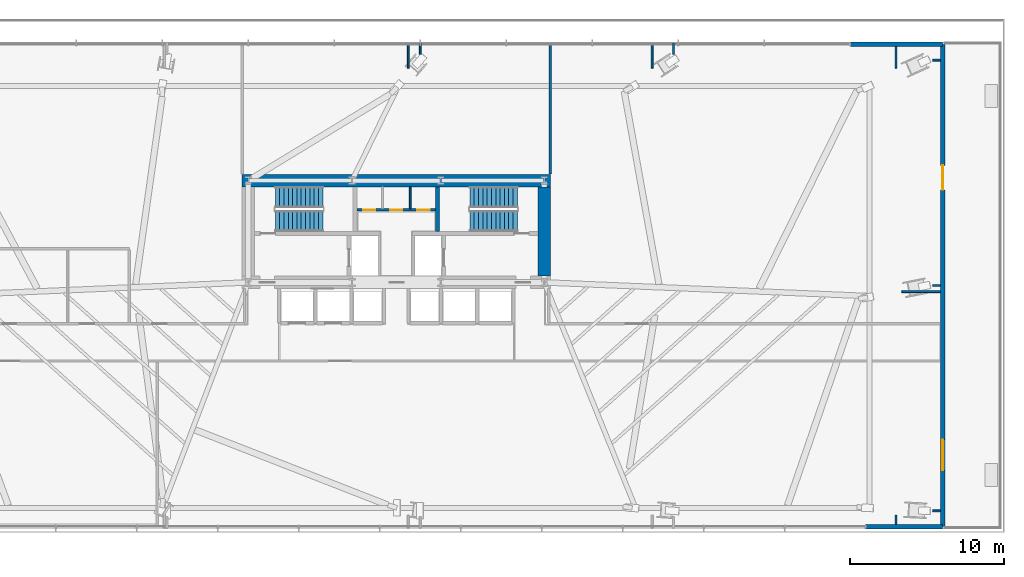
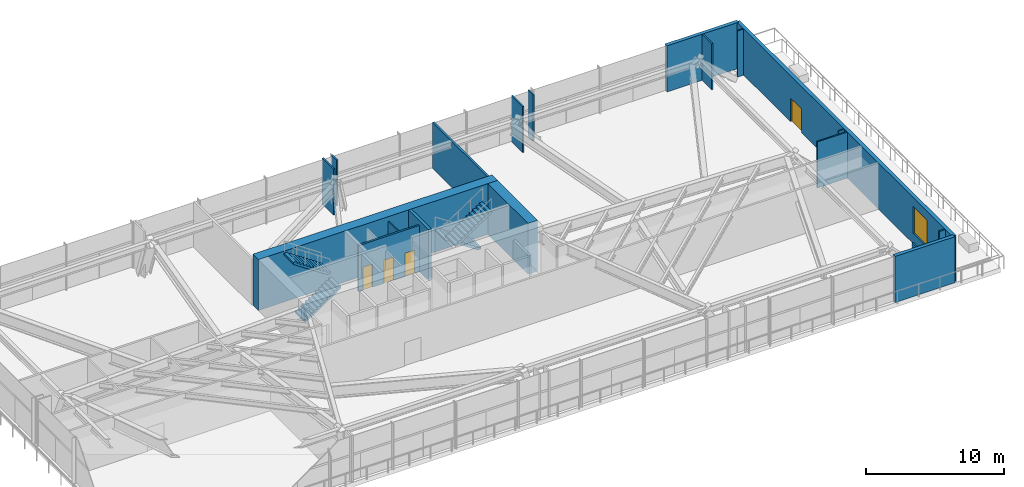
# One storey, part 23 of 30: 19 walls, 4 doors, 4 stair flights, 1 window, 5 openings, 2 elements without a shape of their own.
"""IFC4 building model written with IfcOpenShell, lengths in metres."""

from ifc_helpers import new_model, si_unit, direction, frame, frame_2d, origin, place, context, subcontext, project, spatial, polyline, rectangle, outline, extrude, source, transform, mapped, material, layer, layer_set, type_object, type_shapes, element, fill, aggregate, save


model = new_model("IFC4")

# Units and contexts
model_context = context("Model", 3, precision=1e-05, world=origin(), true_north=direction((0.0, 1.0)))
body_context = subcontext(model_context, "Body", "Model", "MODEL_VIEW")
ifc_project = project(units=[si_unit("LENGTHUNIT", "METRE"), si_unit("AREAUNIT", "SQUARE_METRE"), si_unit("VOLUMEUNIT", "CUBIC_METRE"), si_unit("PLANEANGLEUNIT", "RADIAN"), si_unit("MASSUNIT", "GRAM", prefix="KILO")], contexts=[model_context])

# Site, building, storey
site_placement = place(None, origin())
site = spatial("IfcSite", under=ifc_project, at=site_placement, CompositionType="ELEMENT")
building_placement = place(site_placement, origin())
building = spatial("IfcBuilding", under=site, at=building_placement, Name="Astriad Promenade Condominiums", CompositionType="ELEMENT")
storey_placement = place(building_placement, frame((0.0, 0.0, 14.0)))
storey = spatial("IfcBuildingStorey", under=building, at=storey_placement, Name="L03", CompositionType="ELEMENT", Elevation=14.0)

# Walls
ifc_material_1 = material(Name="Concrete C80/95", Category="concrete")
ifc_layer_1 = layer(ifc_material_1, 0.800048828125)
ifc_layer_set_1 = layer_set([ifc_layer_1], Name="Concrete C80/95")
wall_type_1 = type_object("IfcWallType", Name="CW-SHEAR-800", PredefinedType="SHEAR", material=ifc_layer_set_1)
wall_1_placement = place(storey_placement, frame((26.0, 24.0, 0.0), z_axis=(0.0, 0.0, 1.0), x_axis=(1.0, 0.0, 0.0)))
element("IfcWall", 1, at=wall_1_placement, inside=storey, type_object=wall_type_1, Name="CW-CORE-N-L03", PredefinedType="SHEAR", context=body_context, shape_type="SweptSolid", body=[
    extrude(rectangle(XDim=20.0, YDim=0.800048828125, at=frame_2d((10.0, 0.0))), origin(), (0.0, 0.0, 1.0), 4.5),
])
wall_2_placement = place(storey_placement, frame((45.60009765625, 17.802001953125, 0.0), z_axis=(0.0, 0.0, 1.0), x_axis=(0.0, 1.0, 0.0)))
element("IfcWall", 2, at=wall_2_placement, inside=storey, type_object=wall_type_1, Name="CW-CORE-E-L03", PredefinedType="SHEAR", context=body_context, shape_type="SweptSolid", body=[
    extrude(rectangle(XDim=5.7958984375, YDim=0.800048828125, at=frame_2d((2.89794921875, 0.0))), origin(), (0.0, 0.0, 1.0), 4.5),
])
ifc_material_2 = material(Name="Concrete C50/60", Category="concrete")
ifc_layer_2 = layer(ifc_material_2, 0.25)
ifc_layer_set_2 = layer_set([ifc_layer_2], Name="Concrete C50/60")
wall_type_2 = type_object("IfcWallType", Name="WALL-CORE-INT-250", PredefinedType="SOLIDWALL", material=ifc_layer_set_2)
wall_3_placement = place(storey_placement, frame((38.675048828125, 20.701904296875, 0.0), z_axis=(0.0, 0.0, 1.0), x_axis=(0.0, 1.0, 0.0)))
element("IfcWall", 3, at=wall_3_placement, inside=storey, type_object=wall_type_2, Name="CW-ST2-W-L03", PredefinedType="SOLIDWALL", context=body_context, shape_type="SweptSolid", body=[
    extrude(rectangle(XDim=2.89599609375, YDim=0.25, at=frame_2d((1.447998046875, 0.0))), origin(), (0.0, 0.0, 1.0), 4.5),
])

# Wall, openings, doors
ifc_material_3 = material(Name="Fire-Rated Gypsum Partition")
ifc_layer_3 = layer(ifc_material_3, 0.159912109375)
ifc_layer_set_3 = layer_set([ifc_layer_3], Name="Fire-Rated Gypsum Partition")
wall_type_3 = type_object("IfcWallType", Name="WALL-CORR-160", PredefinedType="PARTITIONING", material=ifc_layer_set_3)
wall_4_placement = place(storey_placement, frame((33.451904296875, 22.10009765625, 0.0), z_axis=(0.0, 0.0, 1.0), x_axis=(1.0, 0.0, 0.0)))
wall_4 = element("IfcWall", 4, at=wall_4_placement, inside=storey, type_object=wall_type_3, Name="CW-AUX-N-L03", PredefinedType="PARTITIONING", context=body_context, shape_type="SweptSolid", body=[
    extrude(rectangle(XDim=5.09619140625, YDim=0.159912109375, at=frame_2d((2.548095703125, 0.0))), origin(), (0.0, 0.0, 1.0), 4.080078125),
])
opening_1_placement = place(wall_4_placement, frame((0.387939453125, 0.0, 0.0)))
opening_1 = element("IfcOpeningElement", 5, at=opening_1_placement, cuts=wall_4, Name="Opening FD60-SV-080", PredefinedType="OPENING", context=body_context, shape_type="SweptSolid", body=[
    extrude(rectangle(XDim=0.800048828125, YDim=2.050048828125, at=frame_2d((0.39990234375, 1.02490234375))), frame((0.0, 0.08984375, 0.0), z_axis=(0.0, -1.0, 0.0), x_axis=(1.0, 0.0, 0.0)), (0.0, 0.0, 1.0), 0.179931640625),
])
opening_2_placement = place(wall_4_placement, frame((2.14794921875, 0.0, 0.0)))
opening_2 = element("IfcOpeningElement", 6, at=opening_2_placement, cuts=wall_4, Name="Opening FD60-SV-080", PredefinedType="OPENING", context=body_context, shape_type="SweptSolid", body=[
    extrude(rectangle(XDim=0.800048828125, YDim=2.050048828125, at=frame_2d((0.39990234375, 1.02490234375))), frame((0.0, 0.08984375, 0.0), z_axis=(0.0, -1.0, 0.0), x_axis=(1.0, 0.0, 0.0)), (0.0, 0.0, 1.0), 0.179931640625),
])
opening_3_placement = place(wall_4_placement, frame((3.907958984375, 0.0, 0.0)))
opening_3 = element("IfcOpeningElement", 7, at=opening_3_placement, cuts=wall_4, Name="Opening FD60-SV-080", PredefinedType="OPENING", context=body_context, shape_type="SweptSolid", body=[
    extrude(rectangle(XDim=0.800048828125, YDim=2.050048828125, at=frame_2d((0.39990234375, 1.02490234375))), frame((0.0, 0.08984375, 0.0), z_axis=(0.0, -1.0, 0.0), x_axis=(1.0, 0.0, 0.0)), (0.0, 0.0, 1.0), 0.179931640625),
])
ifc_material_4 = material(Name="Fire-Rated Riser Closet Door")
door_type_1 = type_object("IfcDoorType", Name="FD60-SV-080", OperationType="NOTDEFINED", PredefinedType="DOOR", material=ifc_material_4)
shared_shape_1 = source(origin(), body_context, "Body", "SweptSolid", [
    extrude(rectangle(XDim=0.800048828125, YDim=2.050048828125, at=frame_2d((0.39990234375, 1.02490234375))), frame((0.0, 0.02490234375, 0.0), z_axis=(0.0, -1.0, 0.0), x_axis=(1.0, 0.0, 0.0)), (0.0, 0.0, 1.0), 0.050048828125),
])
type_shapes(door_type_1, [shared_shape_1])
door_1_placement = place(opening_1_placement, origin())
door_1 = element("IfcDoor", 8, at=door_1_placement, inside=storey, type_object=door_type_1, Name="D-AUX1-L03", OperationType="SINGLE_SWING_RIGHT", OverallHeight=2.050048828125, OverallWidth=0.800048828125, PredefinedType="DOOR", context=body_context, shape_type="MappedRepresentation", body=[
    mapped(shared_shape_1, transform((0.0, 0.0, 0.0), scale=1.0)),
])
fill(opening_1, door_1)
door_2_placement = place(opening_2_placement, origin())
door_2 = element("IfcDoor", 9, at=door_2_placement, inside=storey, type_object=door_type_1, Name="D-AUX2-L03", OperationType="SINGLE_SWING_LEFT", OverallHeight=2.050048828125, OverallWidth=0.800048828125, PredefinedType="DOOR", context=body_context, shape_type="MappedRepresentation", body=[
    mapped(shared_shape_1, transform((0.0, 0.0, 0.0), scale=1.0)),
])
fill(opening_2, door_2)
door_3_placement = place(opening_3_placement, origin())
door_3 = element("IfcDoor", 10, at=door_3_placement, inside=storey, type_object=door_type_1, Name="D-AUX3-L03", OperationType="SINGLE_SWING_RIGHT", OverallHeight=2.050048828125, OverallWidth=0.800048828125, PredefinedType="DOOR", context=body_context, shape_type="MappedRepresentation", body=[
    mapped(shared_shape_1, transform((0.0, 0.0, 0.0), scale=1.0)),
])
fill(opening_3, door_3)

# Walls
wall_5_placement = place(storey_placement, frame((45.97998046875, 24.419921875, 0.0), z_axis=(0.0, 0.0, 1.0), x_axis=(0.0, 1.0, 0.0)))
element("IfcWall", 11, at=wall_5_placement, inside=storey, type_object=wall_type_3, Name="PT-L03-ESE", PredefinedType="PARTITIONING", context=body_context, shape_type="SweptSolid", body=[
    extrude(rectangle(XDim=8.43017578125, YDim=0.159912109375, at=frame_2d((4.215087890625, 0.0))), origin(), (0.0, 0.0, 1.0), 4.080078125),
])
ifc_material_5 = material(Name="Precast concrete C50/60", Category="concrete")
ifc_layer_4 = layer(ifc_material_5, 0.300048828125)
ifc_layer_set_4 = layer_set([ifc_layer_4], Name="Precast concrete C50/60")
wall_type_4 = type_object("IfcWallType", Name="WALL-EXT-POD-300", PredefinedType="STANDARD", material=ifc_layer_set_4)
wall_6_placement = place(storey_placement, frame((65.449951171875, 32.85009765625, 0.0), z_axis=(0.0, 0.0, 1.0), x_axis=(1.0, 0.0, 0.0)))
element("IfcWall", 12, at=wall_6_placement, inside=storey, type_object=wall_type_4, Name="W-EXT-L03-N2", PredefinedType="STANDARD", context=body_context, shape_type="SweptSolid", body=[
    extrude(rectangle(XDim=6.0, YDim=0.300048828125, at=frame_2d((3.0, 0.0))), origin(), (0.0, 0.0, 1.0), 4.080078125),
])

# Wall, openings, window, door
wall_7_placement = place(storey_placement, frame((71.449951171875, 32.85009765625, 0.0), z_axis=(0.0, 0.0, 1.0), x_axis=(0.0, -1.0, 0.0)))
wall_7 = element("IfcWall", 13, at=wall_7_placement, inside=storey, type_object=wall_type_4, Name="W-EXT-L03-E1", PredefinedType="STANDARD", context=body_context, shape_type="SweptSolid", body=[
    extrude(rectangle(XDim=31.300048828125, YDim=0.300048828125, at=frame_2d((15.64990234375, 0.0))), origin(), (0.0, 0.0, 1.0), 4.080078125),
])
opening_4_placement = place(wall_7_placement, frame((7.85009765625, 0.0, 0.0)))
opening_4 = element("IfcOpeningElement", 14, at=opening_4_placement, cuts=wall_7, Name="Opening TD-1622-TER", PredefinedType="OPENING", context=body_context, shape_type="SweptSolid", body=[
    extrude(rectangle(XDim=1.60009765625, YDim=2.10009765625, at=frame_2d((0.800048828125, 1.050048828125))), frame((0.0, 0.159912109375, 0.0), z_axis=(0.0, -1.0, 0.0), x_axis=(1.0, 0.0, 0.0)), (0.0, 0.0, 1.0), 0.320068359375),
])
opening_5_placement = place(wall_7_placement, frame((25.64990234375, 0.0, 0.89990234375)))
opening_5 = element("IfcOpeningElement", 15, at=opening_5_placement, cuts=wall_7, Name="Opening WIN-POD-2024", PredefinedType="OPENING", context=body_context, shape_type="SweptSolid", body=[
    extrude(rectangle(XDim=2.0, YDim=2.39990234375, at=frame_2d((1.0, 1.199951171875))), frame((0.0, 0.159912109375, 0.0), z_axis=(0.0, -1.0, 0.0), x_axis=(1.0, 0.0, 0.0)), (0.0, 0.0, 1.0), 0.320068359375),
])
ifc_material_6 = material(Name="Dark Tinted Storefront Window")
window_type = type_object("IfcWindowType", Name="WIN-POD-2024", PartitioningType="SINGLE_PANEL", PredefinedType="WINDOW", material=ifc_material_6)
shared_shape_2 = source(origin(), body_context, "Body", "SweptSolid", [
    extrude(rectangle(XDim=2.0, YDim=2.39990234375, at=frame_2d((1.0, 1.199951171875))), frame((0.0, 0.030029296875, 0.0), z_axis=(0.0, -1.0, 0.0), x_axis=(1.0, 0.0, 0.0)), (0.0, 0.0, 1.0), 0.06005859375),
])
type_shapes(window_type, [shared_shape_2])
window_placement = place(opening_5_placement, origin())
window = element("IfcWindow", 16, at=window_placement, inside=storey, type_object=window_type, Name="WIN-L03-E1", OverallHeight=2.39990234375, OverallWidth=2.0, PartitioningType="SINGLE_PANEL", PredefinedType="WINDOW", context=body_context, shape_type="MappedRepresentation", body=[
    mapped(shared_shape_2, transform((0.0, 0.0, 0.0), scale=1.0)),
])
fill(opening_5, window)
ifc_material_7 = material(Name="Thermally Broken Aluminium Terrace Double Door", Category="aluminium")
door_type_2 = type_object("IfcDoorType", Name="TD-1622-TER", OperationType="NOTDEFINED", PredefinedType="DOOR", material=ifc_material_7)
shared_shape_3 = source(origin(), body_context, "Body", "SweptSolid", [
    extrude(rectangle(XDim=1.60009765625, YDim=2.10009765625, at=frame_2d((0.800048828125, 1.050048828125))), frame((0.0, 0.02490234375, 0.0), z_axis=(0.0, -1.0, 0.0), x_axis=(1.0, 0.0, 0.0)), (0.0, 0.0, 1.0), 0.050048828125),
])
type_shapes(door_type_2, [shared_shape_3])
door_4_placement = place(opening_4_placement, origin())
door_4 = element("IfcDoor", 17, at=door_4_placement, inside=storey, type_object=door_type_2, Name="TD-L03", OperationType="DOUBLE_DOOR_SINGLE_SWING", OverallHeight=2.10009765625, OverallWidth=1.60009765625, PredefinedType="DOOR", context=body_context, shape_type="MappedRepresentation", body=[
    mapped(shared_shape_3, transform((0.0, 0.0, 0.0), scale=1.0)),
])
fill(opening_4, door_4)

# Walls
wall_8_placement = place(storey_placement, frame((71.449951171875, 1.550048828125, 0.0), z_axis=(0.0, 0.0, 1.0), x_axis=(-1.0, 0.0, 0.0)))
element("IfcWall", 18, at=wall_8_placement, inside=storey, type_object=wall_type_4, Name="W-EXT-L03-S1", PredefinedType="STANDARD", context=body_context, shape_type="SweptSolid", body=[
    extrude(rectangle(XDim=5.0, YDim=0.300048828125, at=frame_2d((2.5, 0.0))), origin(), (0.0, 0.0, 1.0), 4.080078125),
])
ifc_material_8 = material(Name="Acoustic Metal-Stud Gypsum Partition")
ifc_layer_5 = layer(ifc_material_8, 0.1201171875)
ifc_layer_set_5 = layer_set([ifc_layer_5], Name="Acoustic Metal-Stud Gypsum Partition")
wall_type_5 = type_object("IfcWallType", Name="WALL-PART-120", PredefinedType="PARTITIONING", material=ifc_layer_set_5)
wall_9_placement = place(storey_placement, frame((36.89990234375, 22.181884765625, 0.0), z_axis=(0.0, 0.0, 1.0), x_axis=(0.0, 1.0, 0.0)))
element("IfcWall", 19, at=wall_9_placement, inside=storey, type_object=wall_type_5, Name="CW-AUX-V2-L03", PredefinedType="PARTITIONING", context=body_context, shape_type="SweptSolid", body=[
    extrude(rectangle(XDim=1.416015625, YDim=0.1201171875, at=frame_2d((0.7080078125, 0.0))), origin(), (0.0, 0.0, 1.0), 4.080078125),
])
wall_10_placement = place(storey_placement, frame((68.419921875, 2.300048828125, 0.0), z_axis=(0.0, 0.0, 1.0), x_axis=(0.0, -1.0, 0.0)))
element("IfcWall", 20, at=wall_10_placement, inside=storey, type_object=wall_type_5, Name="PT-PIL-L03-PC05-12", PredefinedType="PARTITIONING", context=body_context, shape_type="SweptSolid", body=[
    extrude(rectangle(XDim=0.59814453125, YDim=0.1201171875, at=frame_2d((0.299072265625, 0.0))), origin(), (0.0, 0.0, 1.0), 4.080078125),
])
for number, where, z_axis, x_axis, name in (
    (21, (36.77490234375, 31.300048828125, 0.0), (0.0, 0.0, 1.0), (0.0, 1.0, 0.0), "PT-PIL-L03-PC08-15"),
    (22, (52.597412109375, 31.300048828125, 0.0), (0.0, 0.0, 1.0), (0.0, 1.0, 0.0), "PT-PIL-L03-PC09-16"),
):
    element("IfcWall", number, at=place(storey_placement, frame(where, z_axis=z_axis, x_axis=x_axis)), inside=storey, type_object=wall_type_5, Name=name, PredefinedType="PARTITIONING", context=body_context, shape_type="SweptSolid", body=[
        extrude(rectangle(XDim=1.619873046875, YDim=0.1201171875, at=frame_2d((0.81005859375, 0.0))), origin(), (0.0, 0.0, 1.0), 4.080078125),
    ])
wall_11_placement = place(storey_placement, frame((68.419921875, 31.300048828125, 0.0), z_axis=(0.0, 0.0, 1.0), x_axis=(0.0, 1.0, 0.0)))
element("IfcWall", 23, at=wall_11_placement, inside=storey, type_object=wall_type_5, Name="PT-PIL-L03-PC10-17", PredefinedType="PARTITIONING", context=body_context, shape_type="SweptSolid", body=[
    extrude(rectangle(XDim=1.39794921875, YDim=0.1201171875, at=frame_2d((0.698974609375, 0.0))), origin(), (0.0, 0.0, 1.0), 4.080078125),
])
wall_12_placement = place(storey_placement, frame((68.800048828125, 16.800048828125, 0.0), z_axis=(0.0, 0.0, 1.0), x_axis=(1.0, 0.0, 0.0)))
element("IfcWall", 24, at=wall_12_placement, inside=storey, type_object=wall_type_5, Name="PT-PIL-L03-PC12-19", PredefinedType="PARTITIONING", context=body_context, shape_type="SweptSolid", body=[
    extrude(rectangle(XDim=2.498046875, YDim=0.1201171875, at=frame_2d((1.2490234375, 0.0))), origin(), (0.0, 0.0, 1.0), 4.080078125),
])
wall_13_placement = place(storey_placement, frame((70.800048828125, 2.580078125, 0.0), z_axis=(0.0, 0.0, 1.0), x_axis=(1.0, 0.0, 0.0)))
element("IfcWall", 25, at=wall_13_placement, inside=storey, type_object=wall_type_5, Name="PT-PIL-L03-PC05-24", PredefinedType="PARTITIONING", context=body_context, shape_type="SweptSolid", body=[
    extrude(rectangle(XDim=0.498046875, YDim=0.1201171875, at=frame_2d((0.2490234375, 0.0))), origin(), (0.0, 0.0, 1.0), 4.080078125),
])
for number, where, z_axis, x_axis, name in (
    (26, (37.550048828125, 32.199951171875, 0.0), (0.0, 0.0, 1.0), (0.0, 1.0, 0.0), "PT-PIL-L03-PC08-27"),
    (27, (53.985107421875, 32.199951171875, 0.0), (0.0, 0.0, 1.0), (0.0, 1.0, 0.0), "PT-PIL-L03-PC09-28"),
):
    element("IfcWall", number, at=place(storey_placement, frame(where, z_axis=z_axis, x_axis=x_axis)), inside=storey, type_object=wall_type_5, Name=name, PredefinedType="PARTITIONING", context=body_context, shape_type="SweptSolid", body=[
        extrude(rectangle(XDim=0.719970703125, YDim=0.1201171875, at=frame_2d((0.35986328125, 0.0))), origin(), (0.0, 0.0, 1.0), 4.080078125),
    ])
for number, where, z_axis, x_axis, name in (
    (28, (70.800048828125, 31.820068359375, 0.0), (0.0, 0.0, 1.0), (1.0, 0.0, 0.0), "PT-PIL-L03-PC10-29"),
    (29, (70.800048828125, 17.199951171875, 0.0), (0.0, 0.0, 1.0), (1.0, 0.0, 0.0), "PT-PIL-L03-PC12-31"),
):
    element("IfcWall", number, at=place(storey_placement, frame(where, z_axis=z_axis, x_axis=x_axis)), inside=storey, type_object=wall_type_5, Name=name, PredefinedType="PARTITIONING", context=body_context, shape_type="SweptSolid", body=[
        extrude(rectangle(XDim=0.498046875, YDim=0.1201171875, at=frame_2d((0.2490234375, 0.0))), origin(), (0.0, 0.0, 1.0), 4.080078125),
    ])

# Stair, stair flights
stair_type = type_object("IfcStairType", Name="STR-CORE-1350", PredefinedType="HALF_TURN_STAIR", material=ifc_material_2)
stair_1_placement = place(storey_placement, origin())
stair_1 = element("IfcStair", 30, at=stair_1_placement, inside=storey, type_object=stair_type, Name="L03 Enclosed Core Exit Stair ST-1", PredefinedType="HALF_TURN_STAIR")
stair_flight_type = type_object("IfcStairFlightType", Name="SFL-CORE-1350", PredefinedType="STRAIGHT", material=ifc_material_2)
shared_shape_4 = source(origin(), body_context, "Body", "SweptSolid", [
    extrude(outline(polyline([(0.0, 0.0), (0.0, 0.1875), (0.280029296875, 0.1875), (0.280029296875, 0.375), (0.56005859375, 0.375), (0.56005859375, 0.5625), (0.840087890625, 0.5625), (0.840087890625, 0.75), (1.1201171875, 0.75), (1.1201171875, 0.9375), (1.39990234375, 0.9375), (1.39990234375, 1.125), (1.679931640625, 1.125), (1.679931640625, 1.3125), (1.9599609375, 1.3125), (1.9599609375, 1.5), (2.239990234375, 1.5), (2.239990234375, 1.6875), (2.52001953125, 1.6875), (2.52001953125, 1.875), (2.800048828125, 1.875), (2.800048828125, 2.0625), (3.080078125, 2.0625), (3.080078125, 2.25), (3.080078125, 1.882080078125), (0.26953125, 0.0), (0.0, 0.0)])), frame((0.0, 0.675048828125, 0.0), z_axis=(0.0, -1.0, 0.0), x_axis=(1.0, 0.0, 0.0)), (0.0, 0.0, 1.0), 1.35009765625),
])
type_shapes(stair_flight_type, [shared_shape_4])
stair_flight_1_placement = place(storey_placement, frame((28.14990234375, 21.375, 0.0), z_axis=(0.0, 0.0, 1.0), x_axis=(1.0, 0.0, 0.0)))
stair_flight_1 = element("IfcStairFlight", 31, at=stair_flight_1_placement, type_object=stair_flight_type, Name="ST-1 flight 1", NumberOfRisers=12, NumberOfTreads=11, PredefinedType="STRAIGHT", RiserHeight=0.1875, TreadLength=0.28, context=body_context, shape_type="MappedRepresentation", body=[
    mapped(shared_shape_4, transform((0.0, 0.0, 0.0), scale=1.0)),
])
stair_flight_2_placement = place(storey_placement, frame((31.22998046875, 22.925048828125, 2.25), z_axis=(0.0, 0.0, 1.0), x_axis=(-1.0, 0.0, 0.0)))
stair_flight_2 = element("IfcStairFlight", 32, at=stair_flight_2_placement, type_object=stair_flight_type, Name="ST-1 flight 2", NumberOfRisers=12, NumberOfTreads=11, PredefinedType="STRAIGHT", RiserHeight=0.1875, TreadLength=0.28, context=body_context, shape_type="MappedRepresentation", body=[
    mapped(shared_shape_4, transform((0.0, 0.0, 0.0), scale=1.0)),
])
aggregate(stair_1, [stair_flight_1, stair_flight_2])

stair_2_placement = place(storey_placement, origin())
stair_2 = element("IfcStair", 33, at=stair_2_placement, inside=storey, type_object=stair_type, Name="L03 Enclosed Core Exit Stair ST-2", PredefinedType="HALF_TURN_STAIR")
stair_flight_3_placement = place(storey_placement, frame((43.85009765625, 22.925048828125, 0.0), z_axis=(0.0, 0.0, 1.0), x_axis=(-1.0, 0.0, 0.0)))
stair_flight_3 = element("IfcStairFlight", 34, at=stair_flight_3_placement, type_object=stair_flight_type, Name="ST-2 flight 1", NumberOfRisers=12, NumberOfTreads=11, PredefinedType="STRAIGHT", RiserHeight=0.1875, TreadLength=0.28, context=body_context, shape_type="MappedRepresentation", body=[
    mapped(shared_shape_4, transform((0.0, 0.0, 0.0), scale=1.0)),
])
stair_flight_4_placement = place(storey_placement, frame((40.77001953125, 21.375, 2.25), z_axis=(0.0, 0.0, 1.0), x_axis=(1.0, 0.0, 0.0)))
stair_flight_4 = element("IfcStairFlight", 35, at=stair_flight_4_placement, type_object=stair_flight_type, Name="ST-2 flight 2", NumberOfRisers=12, NumberOfTreads=11, PredefinedType="STRAIGHT", RiserHeight=0.1875, TreadLength=0.28, context=body_context, shape_type="MappedRepresentation", body=[
    mapped(shared_shape_4, transform((0.0, 0.0, 0.0), scale=1.0)),
])
aggregate(stair_2, [stair_flight_3, stair_flight_4])

save(model, "model.ifc")
